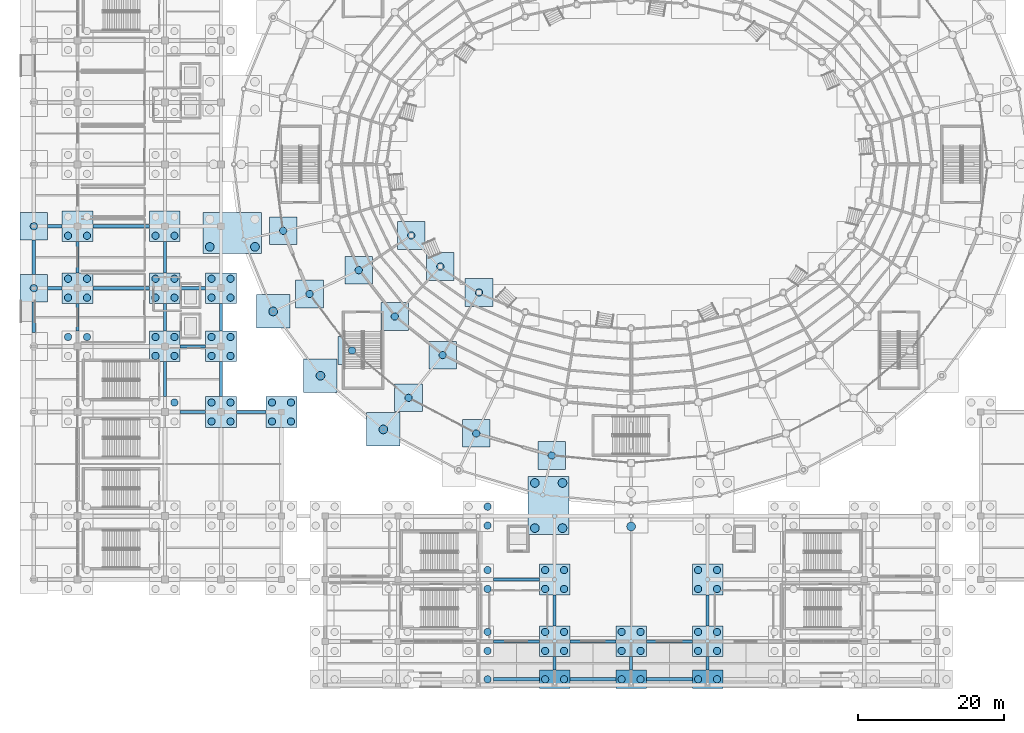
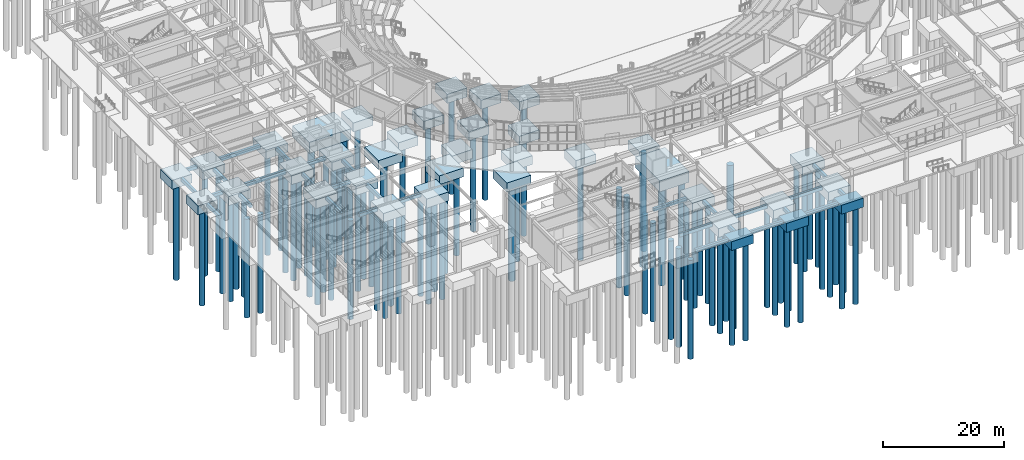
# One storey, part 2 of 121: 92 piles, 65 footings.
"""IFC4 building model written with IfcOpenShell, lengths in metres."""

from ifc_helpers import new_model, si_unit, direction, frame, origin, origin_2d, place, context, subcontext, project, spatial, rectangle, circle, extrude, material, material_profile, profile_set, type_object, element, save


model = new_model("IFC4")

# Units and contexts
model_context = context("Model", 3, precision=1e-05, world=origin(), true_north=direction((0.0, 1.0)))
body_context = subcontext(model_context, "Body", "Model", "MODEL_VIEW")
ifc_project = project(units=[si_unit("LENGTHUNIT", "METRE"), si_unit("AREAUNIT", "SQUARE_METRE"), si_unit("VOLUMEUNIT", "CUBIC_METRE"), si_unit("PLANEANGLEUNIT", "RADIAN"), si_unit("MASSUNIT", "GRAM", prefix="KILO")], contexts=[model_context])

# Site, building, storey
site_placement = place(None, origin())
site = spatial("IfcSite", under=ifc_project, at=site_placement, CompositionType="ELEMENT")
building_placement = place(site_placement, origin())
building = spatial("IfcBuilding", under=site, at=building_placement, Name="Cuetzalor Civic Arena", CompositionType="ELEMENT")
storey_placement = place(building_placement, origin())
storey = spatial("IfcBuildingStorey", under=building, at=storey_placement, Name="L00", CompositionType="ELEMENT", Elevation=0.0)

# Piles
ifc_material_1 = material(Name="Concrete C40/50", Category="concrete")
ifc_material_profile_1 = material_profile(ifc_material_1, circle(Radius=0.5, at=origin_2d()), Name="BORED PILE D1000")
ifc_profile_set_1 = profile_set([ifc_material_profile_1], Name="Concrete C40/50")
pile_type_1 = type_object("IfcPileType", Name="BoredPile_D1000", PredefinedType="BORED", material=ifc_profile_set_1)
for number, where, z_axis, x_axis, name in (
    (1, (-19.699951171875, -70.699951171875, -2.050048828125), (0.0, 0.0, -1.0), (1.0, 0.0, 0.0), "Bored Pile 0006"),
    (2, (-11.800048828125, -70.699951171875, -2.050048828125), (0.0, 0.0, -1.0), (1.0, 0.0, 0.0), "Bored Pile 0007"),
    (3, (-9.199951171875, -70.699951171875, -2.050048828125), (0.0, 0.0, -1.0), (1.0, 0.0, 0.0), "Bored Pile 0008"),
    (4, (-1.300048828125, -70.699951171875, -2.050048828125), (0.0, 0.0, -1.0), (1.0, 0.0, 0.0), "Bored Pile 0009"),
    (5, (1.300048828125, -70.699951171875, -2.050048828125), (0.0, 0.0, -1.0), (1.0, 0.0, 0.0), "Bored Pile 0010"),
    (6, (9.199951171875, -70.699951171875, -2.050048828125), (0.0, 0.0, -1.0), (1.0, 0.0, 0.0), "Bored Pile 0011"),
    (7, (11.800048828125, -70.699951171875, -2.050048828125), (0.0, 0.0, -1.0), (1.0, 0.0, 0.0), "Bored Pile 0012"),
    (8, (-19.699951171875, -66.800048828125, -2.050048828125), (0.0, 0.0, -1.0), (1.0, 0.0, 0.0), "Bored Pile 0029"),
    (9, (-19.699951171875, -64.199951171875, -2.050048828125), (0.0, 0.0, -1.0), (1.0, 0.0, 0.0), "Bored Pile 0030"),
    (10, (-11.800048828125, -66.800048828125, -2.050048828125), (0.0, 0.0, -1.0), (1.0, 0.0, 0.0), "Bored Pile 0031"),
    (11, (-11.800048828125, -64.199951171875, -2.050048828125), (0.0, 0.0, -1.0), (1.0, 0.0, 0.0), "Bored Pile 0032"),
    (12, (-9.199951171875, -66.800048828125, -2.050048828125), (0.0, 0.0, -1.0), (1.0, 0.0, 0.0), "Bored Pile 0033"),
    (13, (-9.199951171875, -64.199951171875, -2.050048828125), (0.0, 0.0, -1.0), (1.0, 0.0, 0.0), "Bored Pile 0034"),
    (14, (-1.300048828125, -66.800048828125, -2.050048828125), (0.0, 0.0, -1.0), (1.0, 0.0, 0.0), "Bored Pile 0035"),
    (15, (-1.300048828125, -64.199951171875, -2.050048828125), (0.0, 0.0, -1.0), (1.0, 0.0, 0.0), "Bored Pile 0036"),
    (16, (1.300048828125, -66.800048828125, -2.050048828125), (0.0, 0.0, -1.0), (1.0, 0.0, 0.0), "Bored Pile 0037"),
    (17, (1.300048828125, -64.199951171875, -2.050048828125), (0.0, 0.0, -1.0), (1.0, 0.0, 0.0), "Bored Pile 0038"),
    (18, (9.199951171875, -66.800048828125, -2.050048828125), (0.0, 0.0, -1.0), (1.0, 0.0, 0.0), "Bored Pile 0039"),
    (19, (9.199951171875, -64.199951171875, -2.050048828125), (0.0, 0.0, -1.0), (1.0, 0.0, 0.0), "Bored Pile 0040"),
    (20, (11.800048828125, -66.800048828125, -2.050048828125), (0.0, 0.0, -1.0), (1.0, 0.0, 0.0), "Bored Pile 0041"),
    (21, (11.800048828125, -64.199951171875, -2.050048828125), (0.0, 0.0, -1.0), (1.0, 0.0, 0.0), "Bored Pile 0042"),
    (22, (-19.699951171875, -58.300048828125, -2.050048828125), (0.0, 0.0, -1.0), (1.0, 0.0, 0.0), "Bored Pile 0082"),
    (23, (-19.699951171875, -55.699951171875, -2.050048828125), (0.0, 0.0, -1.0), (1.0, 0.0, 0.0), "Bored Pile 0083"),
    (24, (-11.800048828125, -58.300048828125, -2.050048828125), (0.0, 0.0, -1.0), (1.0, 0.0, 0.0), "Bored Pile 0084"),
    (25, (-11.800048828125, -55.699951171875, -2.050048828125), (0.0, 0.0, -1.0), (1.0, 0.0, 0.0), "Bored Pile 0085"),
    (26, (-9.199951171875, -58.300048828125, -2.050048828125), (0.0, 0.0, -1.0), (1.0, 0.0, 0.0), "Bored Pile 0086"),
    (27, (-9.199951171875, -55.699951171875, -2.050048828125), (0.0, 0.0, -1.0), (1.0, 0.0, 0.0), "Bored Pile 0087"),
    (28, (9.199951171875, -58.300048828125, -2.050048828125), (0.0, 0.0, -1.0), (1.0, 0.0, 0.0), "Bored Pile 0088"),
    (29, (9.199951171875, -55.699951171875, -2.050048828125), (0.0, 0.0, -1.0), (1.0, 0.0, 0.0), "Bored Pile 0089"),
    (30, (11.800048828125, -58.300048828125, -2.050048828125), (0.0, 0.0, -1.0), (1.0, 0.0, 0.0), "Bored Pile 0090"),
    (31, (11.800048828125, -55.699951171875, -2.050048828125), (0.0, 0.0, -1.0), (1.0, 0.0, 0.0), "Bored Pile 0091"),
    (32, (-19.699951171875, -49.60009765625, -2.050048828125), (0.0, 0.0, -1.0), (1.0, 0.0, 0.0), "Bored Pile 0148"),
    (33, (-19.699951171875, -47.0, -2.050048828125), (0.0, 0.0, -1.0), (1.0, 0.0, 0.0), "Bored Pile 0149"),
    (34, (-10.903564453125, -39.971923828125, -2.050048828125), (0.0, 0.0, -1.0), (1.0, 0.0, 0.0), "Bored Pile 0192"),
    (35, (-21.26025390625, -36.939697265625, -2.050048828125), (0.0, 0.0, -1.0), (1.0, 0.0, 0.0), "Bored Pile 0194"),
    (36, (-62.699951171875, -32.699951171875, -2.050048828125), (0.0, 0.0, -1.0), (1.0, 0.0, 0.0), "Bored Pile 0206"),
    (37, (-57.60009765625, -35.300048828125, -2.050048828125), (0.0, 0.0, -1.0), (1.0, 0.0, 0.0), "Bored Pile 0207"),
    (38, (-57.60009765625, -32.699951171875, -2.050048828125), (0.0, 0.0, -1.0), (1.0, 0.0, 0.0), "Bored Pile 0208"),
    (39, (-55.0, -35.300048828125, -2.050048828125), (0.0, 0.0, -1.0), (1.0, 0.0, 0.0), "Bored Pile 0209"),
    (40, (-55.0, -32.699951171875, -2.050048828125), (0.0, 0.0, -1.0), (1.0, 0.0, 0.0), "Bored Pile 0210"),
    (41, (-49.300048828125, -35.300048828125, -2.050048828125), (0.0, 0.0, -1.0), (1.0, 0.0, 0.0), "Bored Pile 0211"),
    (42, (-49.300048828125, -32.699951171875, -2.050048828125), (0.0, 0.0, -1.0), (1.0, 0.0, 0.0), "Bored Pile 0212"),
    (43, (-46.699951171875, -35.300048828125, -2.050048828125), (0.0, 0.0, -1.0), (1.0, 0.0, 0.0), "Bored Pile 0213"),
    (44, (-46.699951171875, -32.699951171875, -2.050048828125), (0.0, 0.0, -1.0), (1.0, 0.0, 0.0), "Bored Pile 0214"),
    (45, (-30.551025390625, -32.05517578125, -2.050048828125), (0.0, 0.0, -1.0), (1.0, 0.0, 0.0), "Bored Pile 0235"),
    (46, (-25.874755859375, -26.19140625, -2.050048828125), (0.0, 0.0, -1.0), (1.0, 0.0, 0.0), "Bored Pile 0241"),
    (47, (-38.309814453125, -25.56298828125, -2.050048828125), (0.0, 0.0, -1.0), (1.0, 0.0, 0.0), "Bored Pile 0243"),
    (48, (-77.300048828125, -23.699951171875, -2.050048828125), (0.0, 0.0, -1.0), (1.0, 0.0, 0.0), "Bored Pile 0247"),
    (49, (-74.699951171875, -23.699951171875, -2.050048828125), (0.0, 0.0, -1.0), (1.0, 0.0, 0.0), "Bored Pile 0249"),
    (50, (-65.300048828125, -26.300048828125, -2.050048828125), (0.0, 0.0, -1.0), (1.0, 0.0, 0.0), "Bored Pile 0250"),
    (51, (-65.300048828125, -23.699951171875, -2.050048828125), (0.0, 0.0, -1.0), (1.0, 0.0, 0.0), "Bored Pile 0251"),
    (52, (-62.699951171875, -26.300048828125, -2.050048828125), (0.0, 0.0, -1.0), (1.0, 0.0, 0.0), "Bored Pile 0252"),
    (53, (-62.699951171875, -23.699951171875, -2.050048828125), (0.0, 0.0, -1.0), (1.0, 0.0, 0.0), "Bored Pile 0253"),
    (54, (-57.60009765625, -26.300048828125, -2.050048828125), (0.0, 0.0, -1.0), (1.0, 0.0, 0.0), "Bored Pile 0254"),
    (55, (-57.60009765625, -23.699951171875, -2.050048828125), (0.0, 0.0, -1.0), (1.0, 0.0, 0.0), "Bored Pile 0255"),
    (56, (-55.0, -26.300048828125, -2.050048828125), (0.0, 0.0, -1.0), (1.0, 0.0, 0.0), "Bored Pile 0256"),
    (57, (-55.0, -23.699951171875, -2.050048828125), (0.0, 0.0, -1.0), (1.0, 0.0, 0.0), "Bored Pile 0257"),
    (58, (-32.446044921875, -20.886962890625, -2.050048828125), (0.0, 0.0, -1.0), (1.0, 0.0, 0.0), "Bored Pile 0274"),
    (59, (-44.1474609375, -17.789306640625, -2.050048828125), (0.0, 0.0, -1.0), (1.0, 0.0, 0.0), "Bored Pile 0280"),
    (60, (-20.886962890625, -17.59130859375, -2.050048828125), (0.0, 0.0, -1.0), (1.0, 0.0, 0.0), "Bored Pile 0282"),
    (61, (-82.0, -17.0, -2.050048828125), (0.0, 0.0, -1.0), (1.0, 0.0, 0.0), "Bored Pile 0284"),
    (62, (-77.300048828125, -18.300048828125, -2.050048828125), (0.0, 0.0, -1.0), (1.0, 0.0, 0.0), "Bored Pile 0285"),
    (63, (-77.300048828125, -15.699951171875, -2.050048828125), (0.0, 0.0, -1.0), (1.0, 0.0, 0.0), "Bored Pile 0286"),
    (64, (-74.699951171875, -18.300048828125, -2.050048828125), (0.0, 0.0, -1.0), (1.0, 0.0, 0.0), "Bored Pile 0287"),
    (65, (-74.699951171875, -15.699951171875, -2.050048828125), (0.0, 0.0, -1.0), (1.0, 0.0, 0.0), "Bored Pile 0288"),
    (66, (-65.300048828125, -18.300048828125, -2.050048828125), (0.0, 0.0, -1.0), (1.0, 0.0, 0.0), "Bored Pile 0289"),
    (67, (-65.300048828125, -15.699951171875, -2.050048828125), (0.0, 0.0, -1.0), (1.0, 0.0, 0.0), "Bored Pile 0290"),
    (68, (-62.699951171875, -18.300048828125, -2.050048828125), (0.0, 0.0, -1.0), (1.0, 0.0, 0.0), "Bored Pile 0291"),
    (69, (-62.699951171875, -15.699951171875, -2.050048828125), (0.0, 0.0, -1.0), (1.0, 0.0, 0.0), "Bored Pile 0292"),
    (70, (-57.60009765625, -18.300048828125, -2.050048828125), (0.0, 0.0, -1.0), (1.0, 0.0, 0.0), "Bored Pile 0293"),
    (71, (-57.60009765625, -15.699951171875, -2.050048828125), (0.0, 0.0, -1.0), (1.0, 0.0, 0.0), "Bored Pile 0294"),
    (72, (-55.0, -18.300048828125, -2.050048828125), (0.0, 0.0, -1.0), (1.0, 0.0, 0.0), "Bored Pile 0295"),
    (73, (-55.0, -15.699951171875, -2.050048828125), (0.0, 0.0, -1.0), (1.0, 0.0, 0.0), "Bored Pile 0296"),
    (74, (-37.39013671875, -14.53515625, -2.050048828125), (0.0, 0.0, -1.0), (1.0, 0.0, 0.0), "Bored Pile 0310"),
    (75, (-26.19140625, -14.028564453125, -2.050048828125), (0.0, 0.0, -1.0), (1.0, 0.0, 0.0), "Bored Pile 0312"),
    (76, (-30.1826171875, -9.762451171875, -2.050048828125), (0.0, 0.0, -1.0), (1.0, 0.0, 0.0), "Bored Pile 0322"),
    (77, (-47.771484375, -9.123291015625, -2.050048828125), (0.0, 0.0, -1.0), (1.0, 0.0, 0.0), "Bored Pile 0324"),
    (78, (-82.0, -8.5, -2.050048828125), (0.0, 0.0, -1.0), (1.0, 0.0, 0.0), "Bored Pile 0326"),
    (79, (-77.300048828125, -9.800048828125, -2.050048828125), (0.0, 0.0, -1.0), (1.0, 0.0, 0.0), "Bored Pile 0327"),
    (80, (-74.699951171875, -9.800048828125, -2.050048828125), (0.0, 0.0, -1.0), (1.0, 0.0, 0.0), "Bored Pile 0329"),
    (81, (-65.300048828125, -9.800048828125, -2.050048828125), (0.0, 0.0, -1.0), (1.0, 0.0, 0.0), "Bored Pile 0331"),
    (82, (-62.699951171875, -9.800048828125, -2.050048828125), (0.0, 0.0, -1.0), (1.0, 0.0, 0.0), "Bored Pile 0333"),
):
    element("IfcPile", number, at=place(storey_placement, frame(where, z_axis=z_axis, x_axis=x_axis)), inside=storey, type_object=pile_type_1, Name=name, PredefinedType="BORED", context=body_context, shape_type="SweptSolid", body=[
        extrude(circle(Radius=0.5, at=origin_2d()), origin(), (0.0, 0.0, 1.0), 19.949951171875),
    ])
ifc_material_2 = material(Name="Concrete C40/50", Category="concrete")
ifc_material_profile_2 = material_profile(ifc_material_2, circle(Radius=0.60009765625, at=origin_2d()), Name="BORED PILE D1200")
ifc_profile_set_2 = profile_set([ifc_material_profile_2], Name="Concrete C40/50")
pile_type_2 = type_object("IfcPileType", Name="BoredPile_D1200", PredefinedType="BORED", material=ifc_profile_set_2)
for number, where, z_axis, x_axis, name in (
    (83, (0.0, -49.72509765625, -2.449951171875), (0.0, 0.0, -1.0), (1.0, 0.0, 0.0), "Bored Pile 0179"),
    (84, (-13.21923828125, -49.94140625, -2.449951171875), (0.0, 0.0, -1.0), (1.0, 0.0, 0.0), "Bored Pile 0181"),
    (85, (-13.21923828125, -43.741455078125, -2.449951171875), (0.0, 0.0, -1.0), (1.0, 0.0, 0.0), "Bored Pile 0182"),
    (86, (-9.419189453125, -49.94140625, -2.449951171875), (0.0, 0.0, -1.0), (1.0, 0.0, 0.0), "Bored Pile 0183"),
    (87, (-9.419189453125, -43.741455078125, -2.449951171875), (0.0, 0.0, -1.0), (1.0, 0.0, 0.0), "Bored Pile 0184"),
):
    element("IfcPile", number, at=place(storey_placement, frame(where, z_axis=z_axis, x_axis=x_axis)), inside=storey, type_object=pile_type_2, Name=name, PredefinedType="BORED", context=body_context, shape_type="SweptSolid", body=[
        extrude(circle(Radius=0.60009765625, at=origin_2d()), origin(), (0.0, 0.0, 1.0), 19.550048828125),
    ])
for number, where, z_axis, x_axis, name in (
    (88, (-34.011474609375, -36.394287109375, -2.050048828125), (0.0, 0.0, -1.0), (1.0, 0.0, 0.0), "Bored Pile 0196"),
    (89, (-42.64892578125, -29.0234375, -2.050048828125), (0.0, 0.0, -1.0), (1.0, 0.0, 0.0), "Bored Pile 0239"),
    (90, (-49.14794921875, -20.197265625, -2.050048828125), (0.0, 0.0, -1.0), (1.0, 0.0, 0.0), "Bored Pile 0278"),
):
    element("IfcPile", number, at=place(storey_placement, frame(where, z_axis=z_axis, x_axis=x_axis)), inside=storey, type_object=pile_type_2, Name=name, PredefinedType="BORED", context=body_context, shape_type="SweptSolid", body=[
        extrude(circle(Radius=0.60009765625, at=origin_2d()), origin(), (0.0, 0.0, 1.0), 19.949951171875),
    ])
for number, where, z_axis, x_axis, name in (
    (91, (-57.841064453125, -11.3291015625, -2.449951171875), (0.0, 0.0, -1.0), (1.0, 0.0, 0.0), "Bored Pile 0314"),
    (92, (-51.64111328125, -11.3291015625, -2.449951171875), (0.0, 0.0, -1.0), (1.0, 0.0, 0.0), "Bored Pile 0316"),
):
    element("IfcPile", number, at=place(storey_placement, frame(where, z_axis=z_axis, x_axis=x_axis)), inside=storey, type_object=pile_type_2, Name=name, PredefinedType="BORED", context=body_context, shape_type="SweptSolid", body=[
        extrude(circle(Radius=0.60009765625, at=origin_2d()), origin(), (0.0, 0.0, 1.0), 19.550048828125),
    ])

# Footings
ifc_material_3 = material(Name="Concrete C40/50", Category="concrete")
footing_type_1 = type_object("IfcFootingType", Name="CombinedPileCap_A", PredefinedType="PILE_CAP", material=ifc_material_3)
for number, where, z_axis, x_axis, name in (
    (93, (-10.5, -65.5, -2.14990234375), (0.0, 0.0, 1.0), (1.0, 0.0, 0.0), "Combined Pile Cap 013"),
    (94, (0.0, -65.5, -2.14990234375), (0.0, 0.0, 1.0), (1.0, 0.0, 0.0), "Combined Pile Cap 014"),
    (95, (10.5, -65.5, -2.14990234375), (0.0, 0.0, 1.0), (1.0, 0.0, 0.0), "Combined Pile Cap 015"),
    (96, (-10.5, -57.0, -2.14990234375), (0.0, 0.0, 1.0), (1.0, 0.0, 0.0), "Combined Pile Cap 027"),
    (97, (10.5, -57.0, -2.14990234375), (0.0, 0.0, 1.0), (1.0, 0.0, 0.0), "Combined Pile Cap 028"),
    (98, (-56.300048828125, -34.0, -2.14990234375), (0.0, 0.0, 1.0), (1.0, 0.0, 0.0), "Combined Pile Cap 068"),
    (99, (-48.0, -34.0, -2.14990234375), (0.0, 0.0, 1.0), (1.0, 0.0, 0.0), "Combined Pile Cap 069"),
    (100, (-64.0, -25.0, -2.14990234375), (0.0, 0.0, 1.0), (1.0, 0.0, 0.0), "Combined Pile Cap 090"),
    (101, (-56.300048828125, -25.0, -2.14990234375), (0.0, 0.0, 1.0), (1.0, 0.0, 0.0), "Combined Pile Cap 091"),
    (102, (-76.0, -17.0, -2.14990234375), (0.0, 0.0, 1.0), (1.0, 0.0, 0.0), "Combined Pile Cap 110"),
    (103, (-64.0, -17.0, -2.14990234375), (0.0, 0.0, 1.0), (1.0, 0.0, 0.0), "Combined Pile Cap 111"),
    (104, (-56.300048828125, -17.0, -2.14990234375), (0.0, 0.0, 1.0), (1.0, 0.0, 0.0), "Combined Pile Cap 112"),
    (105, (-76.0, -8.5, -2.14990234375), (0.0, 0.0, 1.0), (1.0, 0.0, 0.0), "Combined Pile Cap 128"),
    (106, (-64.0, -8.5, -2.14990234375), (0.0, 0.0, 1.0), (1.0, 0.0, 0.0), "Combined Pile Cap 129"),
):
    element("IfcFooting", number, at=place(storey_placement, frame(where, z_axis=z_axis, x_axis=x_axis)), inside=storey, type_object=footing_type_1, Name=name, PredefinedType="PILE_CAP", context=body_context, shape_type="SweptSolid", body=[
        extrude(rectangle(XDim=4.199951171875, YDim=4.199951171875, at=origin_2d()), origin(), (0.0, 0.0, 1.0), 1.800048828125),
    ])
ifc_material_4 = material(Name="Concrete C40/50", Category="concrete")
footing_type_2 = type_object("IfcFootingType", Name="CombinedPileCap_B", PredefinedType="PILE_CAP", material=ifc_material_4)
for number, where, z_axis, x_axis, name in (
    (107, (-34.011474609375, -36.394287109375, -2.14990234375), (0.0, 0.0, 1.0), (1.0, 0.0, 0.0), "Combined Pile Cap 063"),
    (108, (-42.64892578125, -29.0234375, -2.14990234375), (0.0, 0.0, 1.0), (1.0, 0.0, 0.0), "Combined Pile Cap 082"),
    (109, (-49.14794921875, -20.197265625, -2.14990234375), (0.0, 0.0, 1.0), (1.0, 0.0, 0.0), "Combined Pile Cap 103"),
):
    element("IfcFooting", number, at=place(storey_placement, frame(where, z_axis=z_axis, x_axis=x_axis)), inside=storey, type_object=footing_type_2, Name=name, PredefinedType="PILE_CAP", context=body_context, shape_type="SweptSolid", body=[
        extrude(rectangle(XDim=4.60009765625, YDim=4.60009765625, at=origin_2d()), origin(), (0.0, 0.0, 1.0), 1.800048828125),
    ])
ifc_material_5 = material(Name="Concrete C40/50", Category="concrete")
footing_type_3 = type_object("IfcFootingType", Name="CombinedPileCap_J", PredefinedType="PILE_CAP", material=ifc_material_5)
footing_1_placement = place(storey_placement, frame((-54.7412109375, -9.42919921875, -2.5498046875), z_axis=(0.0, 0.0, 1.0), x_axis=(1.0, 0.0, 0.0)))
element("IfcFooting", 110, at=footing_1_placement, inside=storey, type_object=footing_type_3, Name="Combined Pile Cap 121", PredefinedType="PILE_CAP", context=body_context, shape_type="SweptSolid", body=[
    extrude(rectangle(XDim=8.0, YDim=5.60009765625, at=origin_2d()), origin(), (0.0, 0.0, 1.0), 2.199951171875),
])
ifc_material_6 = material(Name="Concrete C40/50", Category="concrete")
footing_type_4 = type_object("IfcFootingType", Name="CombinedPileCap_K", PredefinedType="PILE_CAP", material=ifc_material_6)
footing_2_placement = place(storey_placement, frame((-11.3193359375, -46.84130859375, -2.5498046875), z_axis=(0.0, 0.0, 1.0), x_axis=(1.0, 0.0, 0.0)))
element("IfcFooting", 111, at=footing_2_placement, inside=storey, type_object=footing_type_4, Name="Combined Pile Cap 054", PredefinedType="PILE_CAP", context=body_context, shape_type="SweptSolid", body=[
    extrude(rectangle(XDim=5.60009765625, YDim=8.0, at=origin_2d()), origin(), (0.0, 0.0, 1.0), 2.199951171875),
])
ifc_material_7 = material(Name="Concrete C40/50", Category="concrete")
footing_type_5 = type_object("IfcFootingType", Name="CombinedPileCap_M", PredefinedType="PILE_CAP", material=ifc_material_7)
for number, where, z_axis, x_axis, name in (
    (112, (-10.903564453125, -39.971923828125, -2.14990234375), (0.0, 0.0, 1.0), (1.0, 0.0, 0.0), "Combined Pile Cap 059"),
    (113, (-21.26025390625, -36.939697265625, -2.14990234375), (0.0, 0.0, 1.0), (1.0, 0.0, 0.0), "Combined Pile Cap 061"),
    (114, (-30.551025390625, -32.05517578125, -2.14990234375), (0.0, 0.0, 1.0), (1.0, 0.0, 0.0), "Combined Pile Cap 078"),
    (115, (-25.874755859375, -26.19140625, -2.14990234375), (0.0, 0.0, 1.0), (1.0, 0.0, 0.0), "Combined Pile Cap 084"),
    (116, (-38.309814453125, -25.56298828125, -2.14990234375), (0.0, 0.0, 1.0), (1.0, 0.0, 0.0), "Combined Pile Cap 086"),
    (117, (-32.446044921875, -20.886962890625, -2.14990234375), (0.0, 0.0, 1.0), (1.0, 0.0, 0.0), "Combined Pile Cap 099"),
    (118, (-44.1474609375, -17.789306640625, -2.14990234375), (0.0, 0.0, 1.0), (1.0, 0.0, 0.0), "Combined Pile Cap 105"),
    (119, (-20.886962890625, -17.59130859375, -2.14990234375), (0.0, 0.0, 1.0), (1.0, 0.0, 0.0), "Combined Pile Cap 107"),
    (120, (-82.0, -17.0, -2.14990234375), (0.0, 0.0, 1.0), (1.0, 0.0, 0.0), "Combined Pile Cap 109"),
    (121, (-37.39013671875, -14.53515625, -2.14990234375), (0.0, 0.0, 1.0), (1.0, 0.0, 0.0), "Combined Pile Cap 117"),
    (122, (-26.19140625, -14.028564453125, -2.14990234375), (0.0, 0.0, 1.0), (1.0, 0.0, 0.0), "Combined Pile Cap 119"),
    (123, (-30.1826171875, -9.762451171875, -2.14990234375), (0.0, 0.0, 1.0), (1.0, 0.0, 0.0), "Combined Pile Cap 123"),
    (124, (-47.771484375, -9.123291015625, -2.14990234375), (0.0, 0.0, 1.0), (1.0, 0.0, 0.0), "Combined Pile Cap 125"),
    (125, (-82.0, -8.5, -2.14990234375), (0.0, 0.0, 1.0), (1.0, 0.0, 0.0), "Combined Pile Cap 127"),
):
    element("IfcFooting", number, at=place(storey_placement, frame(where, z_axis=z_axis, x_axis=x_axis)), inside=storey, type_object=footing_type_5, Name=name, PredefinedType="PILE_CAP", context=body_context, shape_type="SweptSolid", body=[
        extrude(rectangle(XDim=3.800048828125, YDim=3.800048828125, at=origin_2d()), origin(), (0.0, 0.0, 1.0), 1.800048828125),
    ])
ifc_material_8 = material(Name="Concrete C40/50", Category="concrete")
ifc_material_profile_3 = material_profile(ifc_material_8, rectangle(XDim=0.449951171875, YDim=0.64990234375, at=origin_2d()), Name="RC 450x650")
ifc_profile_set_3 = profile_set([ifc_material_profile_3], Name="Concrete C40/50")
footing_type_6 = type_object("IfcFootingType", Name="GroundTieBeam_450x650", PredefinedType="FOOTING_BEAM", material=ifc_profile_set_3)
for number, where, z_axis, x_axis, name in (
    (126, (-18.89990234375, -70.699951171875, -0.675048828125), (1.0, 0.0, 0.0), (0.0, 1.0, 0.0), "Ground Tie Beam 005"),
    (127, (-8.39990234375, -70.699951171875, -0.675048828125), (1.0, 0.0, 0.0), (0.0, 1.0, 0.0), "Ground Tie Beam 007"),
):
    element("IfcFooting", number, at=place(storey_placement, frame(where, z_axis=z_axis, x_axis=x_axis)), inside=storey, type_object=footing_type_6, Name=name, PredefinedType="FOOTING_BEAM", context=body_context, shape_type="SweptSolid", body=[
        extrude(rectangle(XDim=0.449951171875, YDim=0.64990234375, at=origin_2d()), origin(), (0.0, 0.0, 1.0), 6.2998046875),
    ])
footing_3_placement = place(storey_placement, frame((-10.5, -69.449951171875, -0.675048828125), z_axis=(0.0, 1.0, 0.0), x_axis=(-1.0, 0.0, 0.0)))
element("IfcFooting", 128, at=footing_3_placement, inside=storey, type_object=footing_type_6, Name="Ground Tie Beam 008", PredefinedType="FOOTING_BEAM", context=body_context, shape_type="SweptSolid", body=[
    extrude(rectangle(XDim=0.449951171875, YDim=0.64990234375, at=origin_2d()), origin(), (0.0, 0.0, 1.0), 1.849853515625),
])
footing_4_placement = place(storey_placement, frame((2.10009765625, -70.699951171875, -0.675048828125), z_axis=(1.0, 0.0, 0.0), x_axis=(0.0, 1.0, 0.0)))
element("IfcFooting", 129, at=footing_4_placement, inside=storey, type_object=footing_type_6, Name="Ground Tie Beam 009", PredefinedType="FOOTING_BEAM", context=body_context, shape_type="SweptSolid", body=[
    extrude(rectangle(XDim=0.449951171875, YDim=0.64990234375, at=origin_2d()), origin(), (0.0, 0.0, 1.0), 6.2998046875),
])
for number, where, z_axis, x_axis, name in (
    (130, (0.0, -69.449951171875, -0.675048828125), (0.0, 1.0, 0.0), (-1.0, 0.0, 0.0), "Ground Tie Beam 010"),
    (131, (10.5, -69.449951171875, -0.675048828125), (0.0, 1.0, 0.0), (-1.0, 0.0, 0.0), "Ground Tie Beam 012"),
):
    element("IfcFooting", number, at=place(storey_placement, frame(where, z_axis=z_axis, x_axis=x_axis)), inside=storey, type_object=footing_type_6, Name=name, PredefinedType="FOOTING_BEAM", context=body_context, shape_type="SweptSolid", body=[
        extrude(rectangle(XDim=0.449951171875, YDim=0.64990234375, at=origin_2d()), origin(), (0.0, 0.0, 1.0), 1.849853515625),
    ])
for number, where, z_axis, x_axis, name in (
    (132, (-18.89990234375, -65.5, -0.675048828125), (1.0, 0.0, 0.0), (0.0, 1.0, 0.0), "Ground Tie Beam 022"),
    (133, (-8.39990234375, -65.5, -0.675048828125), (1.0, 0.0, 0.0), (0.0, 1.0, 0.0), "Ground Tie Beam 024"),
):
    element("IfcFooting", number, at=place(storey_placement, frame(where, z_axis=z_axis, x_axis=x_axis)), inside=storey, type_object=footing_type_6, Name=name, PredefinedType="FOOTING_BEAM", context=body_context, shape_type="SweptSolid", body=[
        extrude(rectangle(XDim=0.449951171875, YDim=0.64990234375, at=origin_2d()), origin(), (0.0, 0.0, 1.0), 6.2998046875),
    ])
footing_5_placement = place(storey_placement, frame((-10.5, -63.39990234375, -0.675048828125), z_axis=(0.0, 1.0, 0.0), x_axis=(-1.0, 0.0, 0.0)))
element("IfcFooting", 134, at=footing_5_placement, inside=storey, type_object=footing_type_6, Name="Ground Tie Beam 025", PredefinedType="FOOTING_BEAM", context=body_context, shape_type="SweptSolid", body=[
    extrude(rectangle(XDim=0.449951171875, YDim=0.64990234375, at=origin_2d()), origin(), (0.0, 0.0, 1.0), 4.2998046875),
])
footing_6_placement = place(storey_placement, frame((2.10009765625, -65.5, -0.675048828125), z_axis=(1.0, 0.0, 0.0), x_axis=(0.0, 1.0, 0.0)))
element("IfcFooting", 135, at=footing_6_placement, inside=storey, type_object=footing_type_6, Name="Ground Tie Beam 026", PredefinedType="FOOTING_BEAM", context=body_context, shape_type="SweptSolid", body=[
    extrude(rectangle(XDim=0.449951171875, YDim=0.64990234375, at=origin_2d()), origin(), (0.0, 0.0, 1.0), 6.2998046875),
])
footing_7_placement = place(storey_placement, frame((10.5, -63.39990234375, -0.675048828125), z_axis=(0.0, 1.0, 0.0), x_axis=(-1.0, 0.0, 0.0)))
element("IfcFooting", 136, at=footing_7_placement, inside=storey, type_object=footing_type_6, Name="Ground Tie Beam 028", PredefinedType="FOOTING_BEAM", context=body_context, shape_type="SweptSolid", body=[
    extrude(rectangle(XDim=0.449951171875, YDim=0.64990234375, at=origin_2d()), origin(), (0.0, 0.0, 1.0), 4.2998046875),
])
footing_8_placement = place(storey_placement, frame((-18.89990234375, -57.0, -0.675048828125), z_axis=(1.0, 0.0, 0.0), x_axis=(0.0, 1.0, 0.0)))
element("IfcFooting", 137, at=footing_8_placement, inside=storey, type_object=footing_type_6, Name="Ground Tie Beam 048", PredefinedType="FOOTING_BEAM", context=body_context, shape_type="SweptSolid", body=[
    extrude(rectangle(XDim=0.449951171875, YDim=0.64990234375, at=origin_2d()), origin(), (0.0, 0.0, 1.0), 6.2998046875),
])
footing_9_placement = place(storey_placement, frame((-61.89990234375, -34.0, -0.675048828125), z_axis=(1.0, 0.0, 0.0), x_axis=(0.0, 1.0, 0.0)))
element("IfcFooting", 138, at=footing_9_placement, inside=storey, type_object=footing_type_6, Name="Ground Tie Beam 096", PredefinedType="FOOTING_BEAM", context=body_context, shape_type="SweptSolid", body=[
    extrude(rectangle(XDim=0.449951171875, YDim=0.64990234375, at=origin_2d()), origin(), (0.0, 0.0, 1.0), 3.5),
])
footing_10_placement = place(storey_placement, frame((-64.0, -31.89990234375, -0.675048828125), z_axis=(0.0, 1.0, 0.0), x_axis=(-1.0, 0.0, 0.0)))
element("IfcFooting", 139, at=footing_10_placement, inside=storey, type_object=footing_type_6, Name="Ground Tie Beam 097", PredefinedType="FOOTING_BEAM", context=body_context, shape_type="SweptSolid", body=[
    extrude(rectangle(XDim=0.449951171875, YDim=0.64990234375, at=origin_2d()), origin(), (0.0, 0.0, 1.0), 4.7998046875),
])
footing_11_placement = place(storey_placement, frame((-54.199951171875, -34.0, -0.675048828125), z_axis=(1.0, 0.0, 0.0), x_axis=(0.0, 1.0, 0.0)))
element("IfcFooting", 140, at=footing_11_placement, inside=storey, type_object=footing_type_6, Name="Ground Tie Beam 098", PredefinedType="FOOTING_BEAM", context=body_context, shape_type="SweptSolid", body=[
    extrude(rectangle(XDim=0.449951171875, YDim=0.64990234375, at=origin_2d()), origin(), (0.0, 0.0, 1.0), 4.099853515625),
])
footing_12_placement = place(storey_placement, frame((-56.300048828125, -31.89990234375, -0.675048828125), z_axis=(0.0, 1.0, 0.0), x_axis=(-1.0, 0.0, 0.0)))
element("IfcFooting", 141, at=footing_12_placement, inside=storey, type_object=footing_type_6, Name="Ground Tie Beam 099", PredefinedType="FOOTING_BEAM", context=body_context, shape_type="SweptSolid", body=[
    extrude(rectangle(XDim=0.449951171875, YDim=0.64990234375, at=origin_2d()), origin(), (0.0, 0.0, 1.0), 4.7998046875),
])
footing_13_placement = place(storey_placement, frame((-82.0, -23.10009765625, -0.675048828125), z_axis=(0.0, 1.0, 0.0), x_axis=(-1.0, 0.0, 0.0)))
element("IfcFooting", 142, at=footing_13_placement, inside=storey, type_object=footing_type_6, Name="Ground Tie Beam 110", PredefinedType="FOOTING_BEAM", context=body_context, shape_type="SweptSolid", body=[
    extrude(rectangle(XDim=0.449951171875, YDim=0.64990234375, at=origin_2d()), origin(), (0.0, 0.0, 1.0), 4.2001953125),
])
footing_14_placement = place(storey_placement, frame((-76.0, -22.89990234375, -0.675048828125), z_axis=(0.0, 1.0, 0.0), x_axis=(-1.0, 0.0, 0.0)))
element("IfcFooting", 143, at=footing_14_placement, inside=storey, type_object=footing_type_6, Name="Ground Tie Beam 112", PredefinedType="FOOTING_BEAM", context=body_context, shape_type="SweptSolid", body=[
    extrude(rectangle(XDim=0.449951171875, YDim=0.64990234375, at=origin_2d()), origin(), (0.0, 0.0, 1.0), 3.7998046875),
])
footing_15_placement = place(storey_placement, frame((-61.89990234375, -25.0, -0.675048828125), z_axis=(1.0, 0.0, 0.0), x_axis=(0.0, 1.0, 0.0)))
element("IfcFooting", 144, at=footing_15_placement, inside=storey, type_object=footing_type_6, Name="Ground Tie Beam 113", PredefinedType="FOOTING_BEAM", context=body_context, shape_type="SweptSolid", body=[
    extrude(rectangle(XDim=0.449951171875, YDim=0.64990234375, at=origin_2d()), origin(), (0.0, 0.0, 1.0), 3.5),
])
for number, where, z_axis, x_axis, name in (
    (145, (-64.0, -22.89990234375, -0.675048828125), (0.0, 1.0, 0.0), (-1.0, 0.0, 0.0), "Ground Tie Beam 114"),
    (146, (-56.300048828125, -22.89990234375, -0.675048828125), (0.0, 1.0, 0.0), (-1.0, 0.0, 0.0), "Ground Tie Beam 115"),
):
    element("IfcFooting", number, at=place(storey_placement, frame(where, z_axis=z_axis, x_axis=x_axis)), inside=storey, type_object=footing_type_6, Name=name, PredefinedType="FOOTING_BEAM", context=body_context, shape_type="SweptSolid", body=[
        extrude(rectangle(XDim=0.449951171875, YDim=0.64990234375, at=origin_2d()), origin(), (0.0, 0.0, 1.0), 3.7998046875),
    ])
footing_16_placement = place(storey_placement, frame((-80.10009765625, -17.0, -0.675048828125), z_axis=(1.0, 0.0, 0.0), x_axis=(0.0, 1.0, 0.0)))
element("IfcFooting", 147, at=footing_16_placement, inside=storey, type_object=footing_type_6, Name="Ground Tie Beam 123", PredefinedType="FOOTING_BEAM", context=body_context, shape_type="SweptSolid", body=[
    extrude(rectangle(XDim=0.449951171875, YDim=0.64990234375, at=origin_2d()), origin(), (0.0, 0.0, 1.0), 2.0),
])
footing_17_placement = place(storey_placement, frame((-82.0, -15.10009765625, -0.675048828125), z_axis=(0.0, 1.0, 0.0), x_axis=(-1.0, 0.0, 0.0)))
element("IfcFooting", 148, at=footing_17_placement, inside=storey, type_object=footing_type_6, Name="Ground Tie Beam 124", PredefinedType="FOOTING_BEAM", context=body_context, shape_type="SweptSolid", body=[
    extrude(rectangle(XDim=0.449951171875, YDim=0.64990234375, at=origin_2d()), origin(), (0.0, 0.0, 1.0), 4.7001953125),
])
footing_18_placement = place(storey_placement, frame((-76.0, -14.89990234375, -0.675048828125), z_axis=(0.0, 1.0, 0.0), x_axis=(-1.0, 0.0, 0.0)))
element("IfcFooting", 149, at=footing_18_placement, inside=storey, type_object=footing_type_6, Name="Ground Tie Beam 126", PredefinedType="FOOTING_BEAM", context=body_context, shape_type="SweptSolid", body=[
    extrude(rectangle(XDim=0.449951171875, YDim=0.64990234375, at=origin_2d()), origin(), (0.0, 0.0, 1.0), 4.2998046875),
])
footing_19_placement = place(storey_placement, frame((-61.89990234375, -17.0, -0.675048828125), z_axis=(1.0, 0.0, 0.0), x_axis=(0.0, 1.0, 0.0)))
element("IfcFooting", 150, at=footing_19_placement, inside=storey, type_object=footing_type_6, Name="Ground Tie Beam 127", PredefinedType="FOOTING_BEAM", context=body_context, shape_type="SweptSolid", body=[
    extrude(rectangle(XDim=0.449951171875, YDim=0.64990234375, at=origin_2d()), origin(), (0.0, 0.0, 1.0), 3.5),
])
footing_20_placement = place(storey_placement, frame((-64.0, -14.89990234375, -0.675048828125), z_axis=(0.0, 1.0, 0.0), x_axis=(-1.0, 0.0, 0.0)))
element("IfcFooting", 151, at=footing_20_placement, inside=storey, type_object=footing_type_6, Name="Ground Tie Beam 128", PredefinedType="FOOTING_BEAM", context=body_context, shape_type="SweptSolid", body=[
    extrude(rectangle(XDim=0.449951171875, YDim=0.64990234375, at=origin_2d()), origin(), (0.0, 0.0, 1.0), 4.2998046875),
])
footing_21_placement = place(storey_placement, frame((-80.10009765625, -8.5, -0.675048828125), z_axis=(1.0, 0.0, 0.0), x_axis=(0.0, 1.0, 0.0)))
element("IfcFooting", 152, at=footing_21_placement, inside=storey, type_object=footing_type_6, Name="Ground Tie Beam 135", PredefinedType="FOOTING_BEAM", context=body_context, shape_type="SweptSolid", body=[
    extrude(rectangle(XDim=0.449951171875, YDim=0.64990234375, at=origin_2d()), origin(), (0.0, 0.0, 1.0), 2.0),
])
ifc_material_9 = material(Name="Concrete C40/50", Category="concrete")
ifc_material_profile_4 = material_profile(ifc_material_9, rectangle(XDim=0.5, YDim=0.75, at=origin_2d()), Name="RC 500x750")
ifc_profile_set_4 = profile_set([ifc_material_profile_4], Name="Concrete C40/50")
footing_type_7 = type_object("IfcFootingType", Name="GroundTieBeam_500x750", PredefinedType="FOOTING_BEAM", material=ifc_profile_set_4)
for number, where, z_axis, x_axis, name in (
    (153, (-73.89990234375, -17.0, -0.72509765625), (1.0, 0.0, 0.0), (0.0, 1.0, 0.0), "Ground Tie Beam 125"),
    (154, (-73.89990234375, -8.5, -0.72509765625), (1.0, 0.0, 0.0), (0.0, 1.0, 0.0), "Ground Tie Beam 137"),
):
    element("IfcFooting", number, at=place(storey_placement, frame(where, z_axis=z_axis, x_axis=x_axis)), inside=storey, type_object=footing_type_7, Name=name, PredefinedType="FOOTING_BEAM", context=body_context, shape_type="SweptSolid", body=[
        extrude(rectangle(XDim=0.5, YDim=0.75, at=origin_2d()), origin(), (0.0, 0.0, 1.0), 7.7998046875),
    ])
ifc_material_10 = material(Name="Concrete C40/50", Category="concrete")
footing_type_8 = type_object("IfcFootingType", Name="PerimeterEdgePileCap_2P", PredefinedType="PILE_CAP", material=ifc_material_10)
for number, where, z_axis, x_axis, name in (
    (155, (-10.5, -70.699951171875, -2.14990234375), (0.0, 0.0, 1.0), (1.0, 0.0, 0.0), "Combined Pile Cap 004"),
    (156, (0.0, -70.699951171875, -2.14990234375), (0.0, 0.0, 1.0), (1.0, 0.0, 0.0), "Combined Pile Cap 005"),
    (157, (10.5, -70.699951171875, -2.14990234375), (0.0, 0.0, 1.0), (1.0, 0.0, 0.0), "Combined Pile Cap 006"),
):
    element("IfcFooting", number, at=place(storey_placement, frame(where, z_axis=z_axis, x_axis=x_axis)), inside=storey, type_object=footing_type_8, Name=name, PredefinedType="PILE_CAP", context=body_context, shape_type="SweptSolid", body=[
        extrude(rectangle(XDim=4.199951171875, YDim=2.5, at=origin_2d()), origin(), (0.0, 0.0, 1.0), 1.800048828125),
    ])

save(model, "model.ifc")
